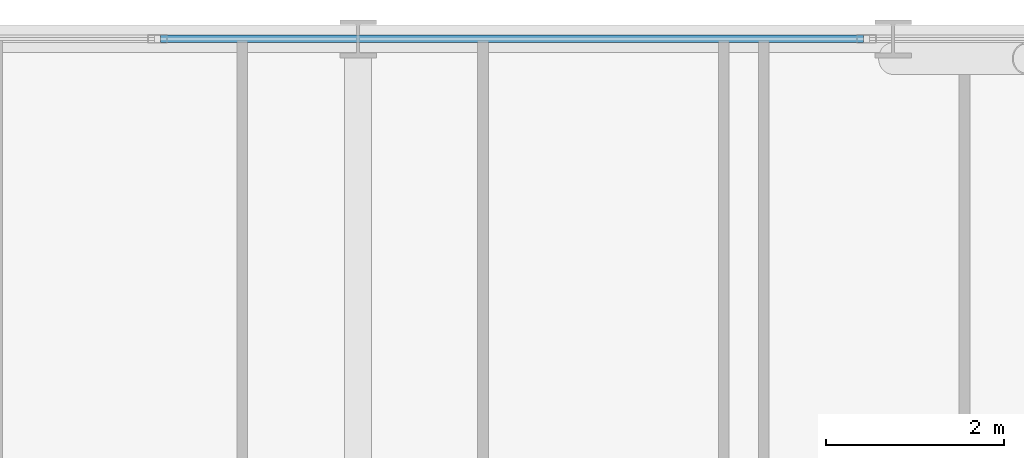
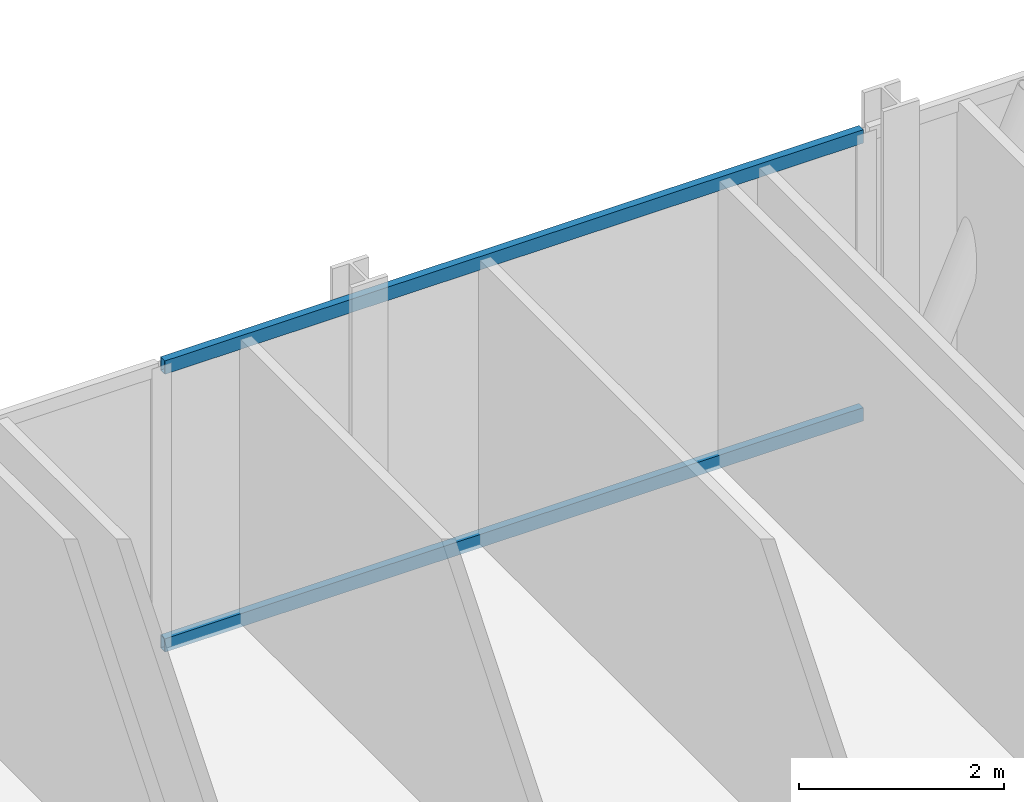
# One storey, part 14 of 33: 2 members, 1 element without a shape of its own.
"""IFC4 building model written with IfcOpenShell, lengths in metres."""

from ifc_helpers import new_model, si_unit, direction, frame, origin, origin_2d, place, context, subcontext, project, spatial, hollow_rectangle, extrude, material, layer, layer_set, material_profile, profile_set, type_object, element, aggregate, save


model = new_model("IFC4")

# Units and contexts
model_context = context("Model", 3, precision=1e-05, world=origin(), true_north=direction((0.0, 1.0)))
body_context = subcontext(model_context, "Body", "Model", "MODEL_VIEW")
ifc_project = project(units=[si_unit("LENGTHUNIT", "METRE"), si_unit("AREAUNIT", "SQUARE_METRE"), si_unit("VOLUMEUNIT", "CUBIC_METRE"), si_unit("PLANEANGLEUNIT", "RADIAN"), si_unit("MASSUNIT", "GRAM", prefix="KILO")], contexts=[model_context])

# Site, building, storey
site_placement = place(None, origin())
site = spatial("IfcSite", under=ifc_project, at=site_placement, CompositionType="ELEMENT")
building_placement = place(site_placement, origin())
building = spatial("IfcBuilding", under=site, at=building_placement, Name="Keshet Zoharim Tower", CompositionType="ELEMENT")
storey_placement = place(building_placement, frame((0.0, 0.0, 35.10009765625)))
storey = spatial("IfcBuildingStorey", under=building, at=storey_placement, Name="L07", CompositionType="ELEMENT", Elevation=35.10009765625)

# Curtain wall, members
ifc_material = material(Name="Aluminium 6063-T6", Category="aluminium")
ifc_layer = layer(ifc_material, 0.169921875)
ifc_layer_set = layer_set([ifc_layer], Name="Aluminium 6063-T6")
curtain_wall_type = type_object("IfcCurtainWallType", Name="CW-SYS-02", PredefinedType="NOTDEFINED", material=ifc_layer_set)
curtain_wall_placement = place(storey_placement, origin())
curtain_wall = element("IfcCurtainWall", 1, at=curtain_wall_placement, inside=storey, type_object=curtain_wall_type, Name="L07 Unitised Curtain Wall 07 Part 3", PredefinedType="NOTDEFINED")
ifc_material_profile = material_profile(ifc_material, hollow_rectangle(XDim=0.0849609375, YDim=0.159912109375, WallThickness=0.00439453125, at=origin_2d()), Name="TRN-85x160")
ifc_profile_set = profile_set([ifc_material_profile], Name="Aluminium 6063-T6")
member_type = type_object("IfcMemberType", Name="CWT-T16", PredefinedType="USERDEFINED", material=ifc_profile_set)
member_1_placement = place(storey_placement, frame((30.784912109375, 53.89990234375, 0.034912109375), z_axis=(1.0, 0.0, 0.0), x_axis=(0.0, 1.0, 0.0)))
member_1 = element("IfcMember", 2, at=member_1_placement, type_object=member_type, Name="CW-02 transom 2.1", ObjectType="TRANSOM", PredefinedType="USERDEFINED", context=body_context, shape_type="SweptSolid", body=[
    extrude(hollow_rectangle(XDim=0.0849609375, YDim=0.159912109375, WallThickness=0.00439453125, at=origin_2d()), origin(), (0.0, 0.0, 1.0), 7.882568359375),
])
member_2_placement = place(storey_placement, frame((30.784912109375, 53.89990234375, 3.349853515625), z_axis=(1.0, 0.0, 0.0), x_axis=(0.0, 1.0, 0.0)))
member_2 = element("IfcMember", 3, at=member_2_placement, type_object=member_type, Name="CW-02 transom 2.2", ObjectType="TRANSOM", PredefinedType="USERDEFINED", context=body_context, shape_type="SweptSolid", body=[
    extrude(hollow_rectangle(XDim=0.0849609375, YDim=0.159912109375, WallThickness=0.00439453125, at=origin_2d()), origin(), (0.0, 0.0, 1.0), 7.882568359375),
])
aggregate(curtain_wall, [member_1, member_2])

save(model, "model.ifc")
